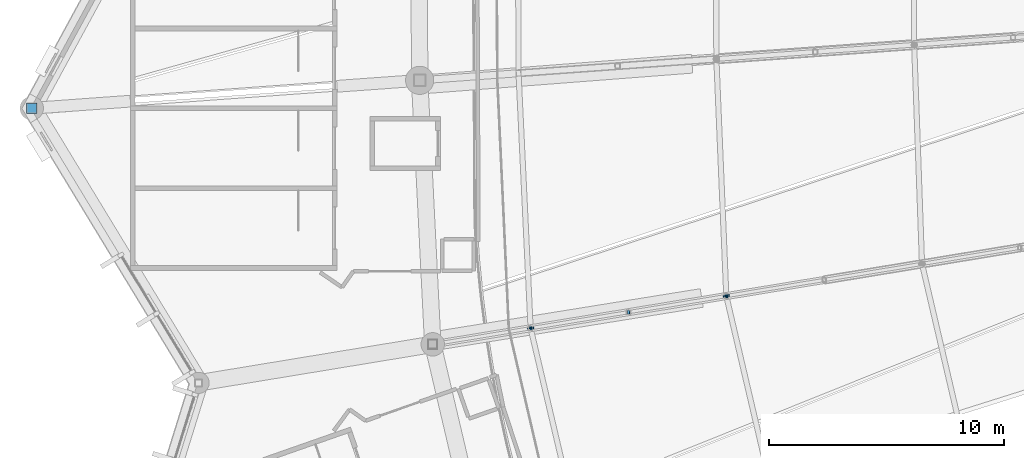
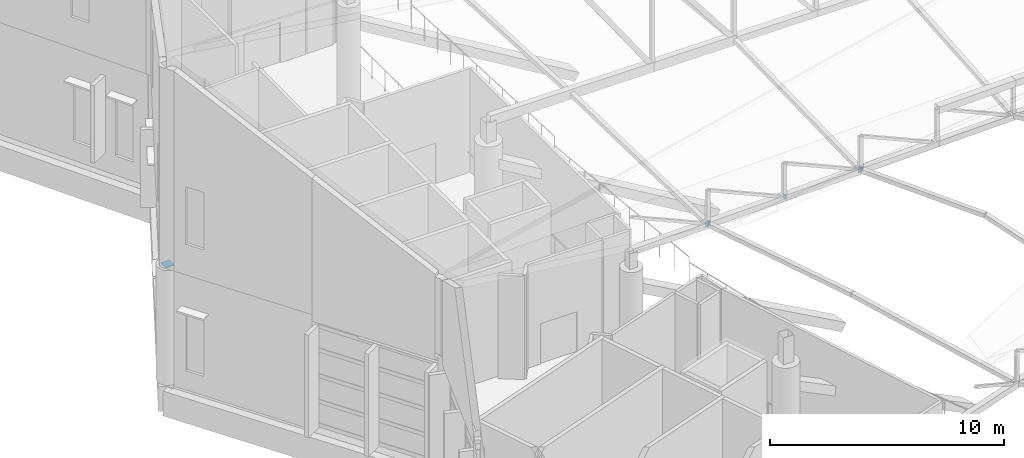
# One storey, part 279 of 344: 8 discrete accessories.
"""IFC4 building model written with IfcOpenShell, lengths in metres."""

import ifcopenshell
import ifcopenshell.guid

model = None  # the IFC model being written
_history = None  # IfcOwnerHistory: only IFC2X3 demands one
_inside = {}  # id of a spatial element -> (the spatial element, [elements in it])
_under = {}  # id of a project, library or spatial element -> (it, [spatial elements below it])
_declared = {}  # id of a project -> (the project, [libraries it declares])
_typed = {}  # id of a type object -> (the type object, [elements of that type])
_made_of = {}  # id of a material, layer set ... -> (it, [elements and type objects made of it])


def new_model(schema):
    """Start an empty IFC model of exactly this schema.

    Asked for "IFC4X3", IfcOpenShell would pick the latest addendum, in which some entities
    have other attributes; the version numbers below select the first issue.
    IFC2X3 requires an IfcOwnerHistory on every rooted entity: one is made here for all.
    """
    global model, _history
    if schema == "IFC4X3":
        model = ifcopenshell.file(schema_version=(4, 3, 0, 0))
    else:
        model = ifcopenshell.file(schema=schema)
    _inside.clear()
    _under.clear()
    _declared.clear()
    _typed.clear()
    _made_of.clear()
    _history = None
    if model.schema == "IFC2X3":
        org = make("IfcOrganization", Name="unknown")
        user = make(
            "IfcPersonAndOrganization",
            ThePerson=make("IfcPerson", FamilyName="unknown"),
            TheOrganization=org,
        )
        app = make(
            "IfcApplication",
            ApplicationDeveloper=org,
            Version="unknown",
            ApplicationFullName="unknown",
            ApplicationIdentifier="unknown",
        )
        _history = make(
            "IfcOwnerHistory",
            OwningUser=user,
            OwningApplication=app,
            ChangeAction="ADDED",
            CreationDate=0,
        )
    return model


def make(cls, **values):
    """One entity of the class cls with the attributes given. An attribute that is None is left unset."""
    return model.create_entity(
        cls, **{name: value for name, value in values.items() if value is not None}
    )


def rooted(cls, **values):
    """An entity with a GlobalId (a new one), such as an element, a storey or a relation."""
    return make(cls, GlobalId=ifcopenshell.guid.new(), OwnerHistory=_history, **values)


def si_unit(unit_type, name, prefix=None):
    """IfcSIUnit, for example si_unit("LENGTHUNIT", "METRE", prefix="MILLI")."""
    return make("IfcSIUnit", UnitType=unit_type, Prefix=prefix, Name=name)


def assignment(units):
    """IfcUnitAssignment: the units of a project."""
    return None if units is None else make("IfcUnitAssignment", Units=units)


def point(xyz):
    """IfcCartesianPoint."""
    return None if xyz is None else make("IfcCartesianPoint", Coordinates=xyz)


def direction(xyz):
    """IfcDirection."""
    return None if xyz is None else make("IfcDirection", DirectionRatios=xyz)


def frame(location, z_axis=None, x_axis=None):
    """IfcAxis2Placement3D, a coordinate frame: its origin and axes. An axis left out is left unset."""
    return make(
        "IfcAxis2Placement3D",
        Location=point(location),
        Axis=direction(z_axis),
        RefDirection=direction(x_axis),
    )


def frame_2d(location, x_axis=None):
    """IfcAxis2Placement2D, a coordinate frame in the plane: its origin and x axis."""
    return make(
        "IfcAxis2Placement2D", Location=point(location), RefDirection=direction(x_axis)
    )


def origin():
    """The frame at (0, 0, 0) with its axes left unset."""
    return frame((0.0, 0.0, 0.0))


def origin_2d():
    """The frame at (0, 0) in the plane with its x axis left unset."""
    return frame_2d((0.0, 0.0))


def place(relative_to, where):
    """IfcLocalPlacement: puts the frame where relative to a parent placement (None: the world)."""
    return make(
        "IfcLocalPlacement", PlacementRelTo=relative_to, RelativePlacement=where
    )


def context(
    kind, dimensions, precision=None, world=None, true_north=None, identifier=None
):
    """IfcGeometricRepresentationContext, for example the 3D "Model" context."""
    return make(
        "IfcGeometricRepresentationContext",
        ContextIdentifier=identifier,
        ContextType=kind,
        CoordinateSpaceDimension=dimensions,
        Precision=precision,
        WorldCoordinateSystem=world,
        TrueNorth=true_north,
    )


def subcontext(parent, identifier, kind, view, scale=None):
    """IfcGeometricRepresentationSubContext, for example "Body" below "Model"."""
    return make(
        "IfcGeometricRepresentationSubContext",
        ContextIdentifier=identifier,
        ContextType=kind,
        ParentContext=parent,
        TargetScale=scale,
        TargetView=view,
    )


def project(units=None, contexts=None):
    """IfcProject with its units and contexts."""
    return rooted(
        "IfcProject",
        Name="project",
        RepresentationContexts=contexts,
        UnitsInContext=assignment(units),
    )


def spatial(cls, under=None, at=None, **own):
    """A site, building, storey or space (cls), placed at a placement, below another one or the project."""
    s = rooted(cls, ObjectPlacement=at, **own)
    if under is not None:
        _under.setdefault(under.id(), (under, []))[1].append(s)
    return s


def profile(cls, at=None, kind="AREA", **sizes):
    """A parametric profile (cls). Its sizes go by their IFC names, for example OverallWidth=200.0."""
    return make(cls, ProfileType=kind, Position=at, **sizes)


def rectangle(**sizes):
    """IfcRectangleProfileDef."""
    return profile("IfcRectangleProfileDef", **sizes)


def extrude(swept, where, along, depth):
    """IfcExtrudedAreaSolid: the profile swept, set in the frame where, extruded along a direction by depth."""
    return make(
        "IfcExtrudedAreaSolid",
        SweptArea=swept,
        Position=where,
        ExtrudedDirection=direction(along),
        Depth=depth,
    )


def shape(context_of_items, identifier, shape_type, items):
    """IfcShapeRepresentation: the items that make up one representation, for example the "Body"."""
    return make(
        "IfcShapeRepresentation",
        ContextOfItems=context_of_items,
        RepresentationIdentifier=identifier,
        RepresentationType=shape_type,
        Items=items,
    )


def material(Name=None, Category=None):
    """IfcMaterial."""
    return make("IfcMaterial", Name=Name, Category=Category)


def material_profile(
    of_material, cross_section, Name=None, Category=None, Priority=None
):
    """IfcMaterialProfile: a cross section and its material."""
    return make(
        "IfcMaterialProfile",
        Name=Name,
        Material=of_material,
        Profile=cross_section,
        Priority=Priority,
        Category=Category,
    )


def profile_set(profiles, Name=None, composite=None):
    """IfcMaterialProfileSet."""
    return make(
        "IfcMaterialProfileSet",
        Name=Name,
        MaterialProfiles=profiles,
        CompositeProfile=composite,
    )


def made_of(thing, what):
    """Note that an element or type object is made of a material, layer set ...; save() writes the relation."""
    if what is not None:
        _made_of.setdefault(what.id(), (what, []))[1].append(thing)
    return thing


def type_object(cls, material=None, **own):
    """A type object (cls), such as IfcWallType, which elements share."""
    return made_of(rooted(cls, **own), material)


def element(
    cls,
    number,
    at=None,
    inside=None,
    cuts=None,
    type_object=None,
    material=None,
    context=None,
    identifier="Body",
    shape_type=None,
    held_by="IfcProductDefinitionShape",
    body=None,
    shapes=None,
    **own,
):
    """One element of the class cls, such as IfcWall. Its Tag is "e" and its number.

    at: its placement. inside: the storey or other place that contains it. cuts: it is an
    opening in that element (IfcRelVoidsElement). A single representation is given by context,
    identifier, shape_type and body (its items); several are given by shapes. held_by: the class
    of the entity that holds the representations. save() writes the other relations.
    """
    e = rooted(cls, Tag="e%d" % number, ObjectPlacement=at, **own)
    if body is not None:
        shapes = [shape(context, identifier, shape_type, body)]
    if shapes is not None:
        e.Representation = make(held_by, Representations=shapes)
    if inside is not None:
        _inside.setdefault(inside.id(), (inside, []))[1].append(e)
    if cuts is not None:
        rooted(
            "IfcRelVoidsElement", RelatingBuildingElement=cuts, RelatedOpeningElement=e
        )
    if type_object is not None:
        _typed.setdefault(type_object.id(), (type_object, []))[1].append(e)
    return made_of(e, material)


def aggregate(whole, parts):
    """IfcRelAggregates: a whole, such as a stair, and the parts it consists of."""
    return rooted("IfcRelAggregates", RelatingObject=whole, RelatedObjects=parts)


def save(model, path):
    """Write the relations noted so far, then the file.

    IfcRelAggregates (storeys below a building ...), IfcRelContainedInSpatialStructure (elements
    in a storey), IfcRelDefinesByType, IfcRelAssociatesMaterial and IfcRelDeclares: one each for
    every whole, place, type object, material and project.
    """
    for whole, parts in _under.values():
        aggregate(whole, parts)
    for where, things in _inside.values():
        rooted(
            "IfcRelContainedInSpatialStructure",
            RelatedElements=things,
            RelatingStructure=where,
        )
    for kind, things in _typed.values():
        rooted("IfcRelDefinesByType", RelatedObjects=things, RelatingType=kind)
    for what, things in _made_of.values():
        rooted("IfcRelAssociatesMaterial", RelatedObjects=things, RelatingMaterial=what)
    for by, libraries in _declared.values():
        rooted("IfcRelDeclares", RelatingContext=by, RelatedDefinitions=libraries)
    model.write(path)


model = new_model("IFC4")

# Units and contexts
model_context = context("Model", 3, precision=1e-05, world=origin(), true_north=direction((0.0, 1.0)))
body_context = subcontext(model_context, "Body", "Model", "MODEL_VIEW")
ifc_project = project(units=[si_unit("LENGTHUNIT", "METRE"), si_unit("AREAUNIT", "SQUARE_METRE"), si_unit("VOLUMEUNIT", "CUBIC_METRE"), si_unit("PLANEANGLEUNIT", "RADIAN"), si_unit("MASSUNIT", "GRAM", prefix="KILO")], contexts=[model_context])

# Site, building, storey
site_placement = place(None, origin())
site = spatial("IfcSite", under=ifc_project, at=site_placement, CompositionType="ELEMENT")
building_placement = place(site_placement, origin())
building = spatial("IfcBuilding", under=site, at=building_placement, Name="Meseta Stadium", CompositionType="ELEMENT")
storey_placement = place(building_placement, frame((0.0, 0.0, 24.0)))
storey = spatial("IfcBuildingStorey", under=building, at=storey_placement, Name="L04", CompositionType="ELEMENT", Elevation=24.0)

# Discrete accessories
ifc_material_1 = material(Name="Steel S355", Category="steel")
ifc_material_profile_1 = material_profile(ifc_material_1, rectangle(XDim=0.179931640625, YDim=0.179931640625, at=origin_2d()), Name="PL 180x180")
ifc_profile_set_1 = profile_set([ifc_material_profile_1], Name="Steel S355")
discrete_accessory_type_1 = type_object("IfcDiscreteAccessoryType", Name="End plate 180x180x20", PredefinedType="ANCHORPLATE", material=ifc_profile_set_1)
discrete_accessory_1_placement = place(storey_placement, frame((-71.80908203125, -51.74267578125, 5.40234375), z_axis=(-0.874931437699, -0.145821906283, 0.461769369896), x_axis=(0.164398987305, -0.986393923832, 0.0)))
element("IfcDiscreteAccessory", 1, at=discrete_accessory_1_placement, inside=storey, type_object=discrete_accessory_type_1, Name="End plate of ROOF TRUSS RT-37 diagonal", PredefinedType="ANCHORPLATE", context=body_context, shape_type="SweptSolid", body=[
    extrude(rectangle(XDim=0.179931640625, YDim=0.179931640625, at=origin_2d()), origin(), (0.0, 0.0, 1.0), 0.02001953125),
])
for number, where, z_axis, x_axis, name in (
    (2, (-75.975341796875, -52.427978515625, 5.864990234375), (-0.872035849523, -0.147386340765, 0.466723412421), (0.166650593889, -0.986016013844, 0.0), "End plate of ROOF TRUSS RT-37 diagonal"),
    (3, (-80.1416015625, -53.11328125, 6.327880859375), (-0.872035849523, -0.147386340765, 0.466723412421), (0.166650593889, -0.986016013844, 0.0), "End plate of ROOF TRUSS RT-37 diagonal"),
):
    element("IfcDiscreteAccessory", number, at=place(storey_placement, frame(where, z_axis=z_axis, x_axis=x_axis)), inside=storey, type_object=discrete_accessory_type_1, Name=name, PredefinedType="ANCHORPLATE", context=body_context, shape_type="SweptSolid", body=[
        extrude(rectangle(XDim=0.179931640625, YDim=0.179931640625, at=origin_2d()), origin(), (0.0, 0.0, 1.0), 0.019775390625),
    ])
ifc_material_2 = material(Name="Steel S355", Category="steel")
ifc_material_profile_2 = material_profile(ifc_material_2, rectangle(XDim=0.260009765625, YDim=0.260009765625, at=origin_2d()), Name="PL 260x260")
ifc_profile_set_2 = profile_set([ifc_material_profile_2], Name="Steel S355")
discrete_accessory_type_2 = type_object("IfcDiscreteAccessoryType", Name="End plate 260x260x20", PredefinedType="ANCHORPLATE", material=ifc_profile_set_2)
discrete_accessory_2_placement = place(storey_placement, frame((-71.82666015625, -51.74560546875, 5.41162109375), z_axis=(0.049139900815, -0.995082991502, -0.085994826426), x_axis=(0.99878289929, 0.049322612311, 0.0)))
element("IfcDiscreteAccessory", 4, at=discrete_accessory_2_placement, inside=storey, type_object=discrete_accessory_type_2, Name="End plate of ROOF TRUSS STRUT RT-36/37", PredefinedType="ANCHORPLATE", context=body_context, shape_type="SweptSolid", body=[
    extrude(rectangle(XDim=0.260009765625, YDim=0.260009765625, at=origin_2d()), origin(), (0.0, 0.0, 1.0), 0.019775390625),
])
for number, where, z_axis, x_axis, name in (
    (5, (-80.158935546875, -53.1162109375, 6.337158203125), (0.04869005636, -0.998146155389, -0.03651754227), (0.998812351125, 0.048722553713, 0.0), "End plate of ROOF TRUSS STRUT RT-36/37"),
    (6, (-71.8310546875, -51.7265625, 5.407470703125), (0.219954248843, -0.953135078322, 0.207734568352), (0.974391195695, 0.224859506699, 0.0), "End plate of ROOF TRUSS STRUT RT-37/38"),
    (7, (-80.16357421875, -53.096923828125, 6.335205078125), (0.232713161513, -0.96759682945, 0.097984489058), (0.972275475429, 0.233838405483, 0.0), "End plate of ROOF TRUSS STRUT RT-37/38"),
):
    element("IfcDiscreteAccessory", number, at=place(storey_placement, frame(where, z_axis=z_axis, x_axis=x_axis)), inside=storey, type_object=discrete_accessory_type_2, Name=name, PredefinedType="ANCHORPLATE", context=body_context, shape_type="SweptSolid", body=[
        extrude(rectangle(XDim=0.260009765625, YDim=0.260009765625, at=origin_2d()), origin(), (0.0, 0.0, 1.0), 0.02001953125),
    ])
ifc_material_3 = material(Name="Steel S355", Category="steel")
ifc_material_profile_3 = material_profile(ifc_material_3, rectangle(XDim=0.43994140625, YDim=0.43994140625, at=origin_2d()), Name="PL 440x440")
ifc_profile_set_3 = profile_set([ifc_material_profile_3], Name="Steel S355")
discrete_accessory_type_3 = type_object("IfcDiscreteAccessoryType", Name="End plate 440x440x20", PredefinedType="ANCHORPLATE", material=ifc_profile_set_3)
discrete_accessory_3_placement = place(storey_placement, frame((-101.39990234375, -43.75, 5.97998046875), z_axis=(0.0, 0.0, 1.0), x_axis=(1.0, 0.0, 0.0)))
element("IfcDiscreteAccessory", 8, at=discrete_accessory_3_placement, inside=storey, type_object=discrete_accessory_type_3, Name="End plate of ROOF RIM POST RT-36", PredefinedType="ANCHORPLATE", context=body_context, shape_type="SweptSolid", body=[
    extrude(rectangle(XDim=0.43994140625, YDim=0.43994140625, at=origin_2d()), origin(), (0.0, 0.0, 1.0), 0.02001953125),
])

save(model, "model.ifc")
